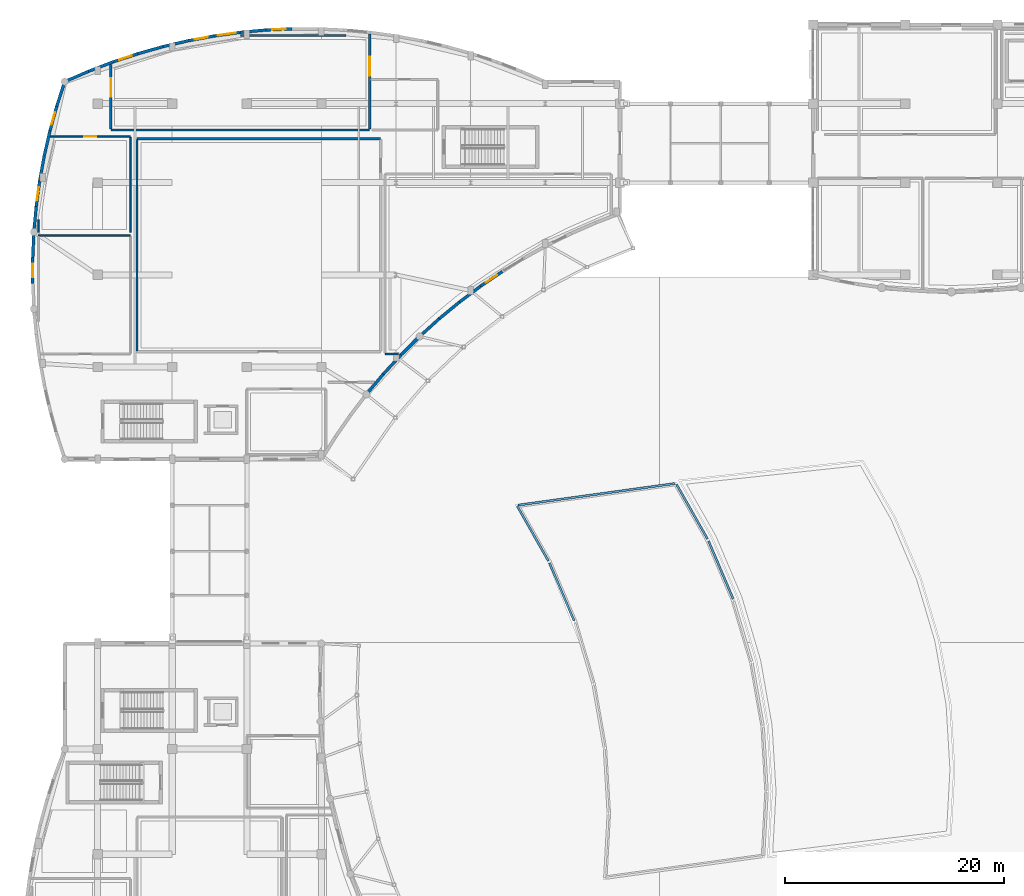
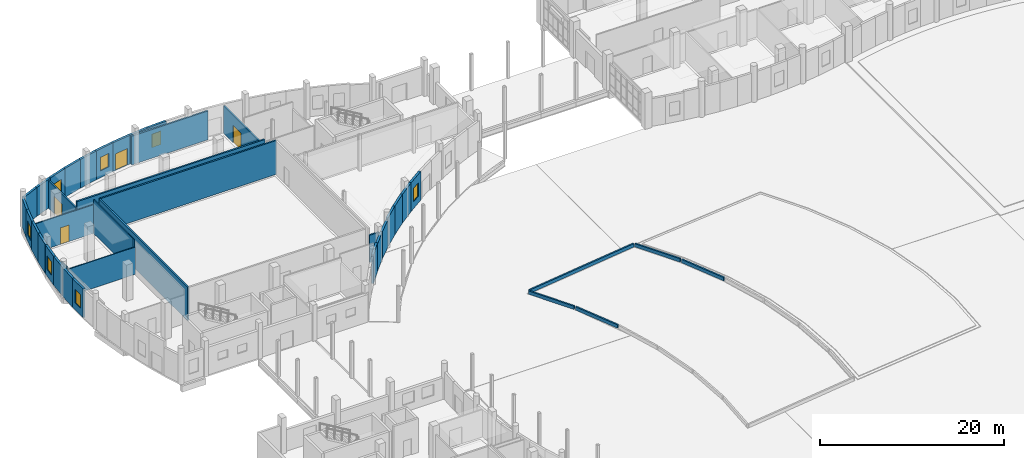
# One storey, part 66 of 97: 40 walls, 7 windows, 4 doors, 11 openings.
"""IFC4 building model written with IfcOpenShell, lengths in metres."""

from ifc_helpers import new_model, si_unit, direction, frame, frame_2d, origin, place, context, subcontext, project, spatial, rectangle, extrude, material, layer, layer_set, type_object, element, fill, save


model = new_model("IFC4")

# Units and contexts
model_context = context("Model", 3, precision=1e-05, world=origin(), true_north=direction((0.0, 1.0)))
body_context = subcontext(model_context, "Body", "Model", "MODEL_VIEW")
ifc_project = project(units=[si_unit("LENGTHUNIT", "METRE"), si_unit("AREAUNIT", "SQUARE_METRE"), si_unit("VOLUMEUNIT", "CUBIC_METRE"), si_unit("PLANEANGLEUNIT", "RADIAN"), si_unit("MASSUNIT", "GRAM", prefix="KILO")], contexts=[model_context])

# Site, building, storey
site_placement = place(None, origin())
site = spatial("IfcSite", under=ifc_project, at=site_placement, CompositionType="ELEMENT")
building_placement = place(site_placement, origin())
building = spatial("IfcBuilding", under=site, at=building_placement, Name="Kisaragi Civic Commons", CompositionType="ELEMENT")
storey_placement = place(building_placement, origin())
storey = spatial("IfcBuildingStorey", under=building, at=storey_placement, Name="L00", CompositionType="ELEMENT", Elevation=0.0)

# Wall, opening, window
ifc_material_1 = material(Name="Insulated Tokoname terracotta cavity wall", Category="masonry")
ifc_layer_1 = layer(ifc_material_1, 0.26806640625, Name="Insulated Tokoname terracotta cavity wall", Category="masonry")
ifc_layer_set_1 = layer_set([ifc_layer_1], Name="Insulated Tokoname terracotta cavity wall")
wall_type_1 = type_object("IfcWallType", Name="EW-04", PredefinedType="STANDARD", material=ifc_layer_set_1)
wall_1_placement = place(storey_placement, frame((0.885986328125, 95.2314453125, 0.0), z_axis=(0.0, 0.0, 1.0), x_axis=(0.0, 1.0, 0.0)))
wall_1 = element("IfcWall", 1, at=wall_1_placement, inside=storey, type_object=wall_type_1, Name="V2 L00 exterior terracotta wall EW-04 133", PredefinedType="STANDARD", context=body_context, shape_type="SweptSolid", body=[
    extrude(rectangle(XDim=2.337158203125, YDim=0.26806640625, at=frame_2d((1.16845703125, 0.0))), origin(), (0.0, 0.0, 1.0), 3.820068359375),
])
opening_1_placement = place(wall_1_placement, frame((0.568603515625, 0.0, 0.89990234375)))
opening_1 = element("IfcOpeningElement", 2, at=opening_1_placement, cuts=wall_1, Name="Opening W-05", PredefinedType="OPENING", context=body_context, shape_type="SweptSolid", body=[
    extrude(rectangle(XDim=1.199951171875, YDim=1.800048828125, at=frame_2d((0.60009765625, 0.89990234375))), frame((0.0, 0.14404296875, 0.0), z_axis=(0.0, -1.0, 0.0), x_axis=(1.0, 0.0, 0.0)), (0.0, 0.0, 1.0), 0.2880859375),
])
ifc_material_2 = material(Name="Thermally broken aluminium frame and low-E argon double glazing", Category="aluminium")
window_type = type_object("IfcWindowType", Name="W-05", PartitioningType="SINGLE_PANEL", PredefinedType="WINDOW", material=ifc_material_2)
window_1_placement = place(opening_1_placement, origin())
window_1 = element("IfcWindow", 3, at=window_1_placement, inside=storey, type_object=window_type, Name="V2 L00 window W-05 40", OverallHeight=1.800048828125, OverallWidth=1.199951171875, PartitioningType="SINGLE_PANEL", PredefinedType="WINDOW", context=body_context, shape_type="SweptSolid", body=[
    extrude(rectangle(XDim=1.199951171875, YDim=1.800048828125, at=frame_2d((0.60009765625, 0.89990234375))), frame((0.0, 0.030029296875, 0.0), z_axis=(0.0, -1.0, 0.0), x_axis=(1.0, 0.0, 0.0)), (0.0, 0.0, 1.0), 0.06005859375),
])
fill(opening_1, window_1)

# Walls
wall_2_placement = place(storey_placement, frame((0.885986328125, 97.568603515625, 0.0), z_axis=(0.0, 0.0, 1.0), x_axis=(0.045023834413, 0.998985912981, 0.0)))
element("IfcWall", 4, at=wall_2_placement, inside=storey, type_object=wall_type_1, Name="V2 L00 exterior terracotta wall EW-04 134", PredefinedType="STANDARD", context=body_context, shape_type="SweptSolid", body=[
    extrude(rectangle(XDim=2.337158203125, YDim=0.26806640625, at=frame_2d((1.16845703125, 0.0))), origin(), (0.0, 0.0, 1.0), 3.820068359375),
])
wall_3_placement = place(storey_placement, frame((0.9912109375, 99.9033203125, 0.0), z_axis=(0.0, 0.0, 1.0), x_axis=(0.089725771447, 0.995966508442, 0.0)))
element("IfcWall", 5, at=wall_3_placement, inside=storey, type_object=wall_type_1, Name="V2 L00 exterior terracotta wall EW-04 135", PredefinedType="STANDARD", context=body_context, shape_type="SweptSolid", body=[
    extrude(rectangle(XDim=2.33740234375, YDim=0.26806640625, at=frame_2d((1.168701171875, 0.0))), origin(), (0.0, 0.0, 1.0), 3.820068359375),
])

# Wall, opening, window
wall_4_placement = place(storey_placement, frame((1.200927734375, 102.231201171875, 0.0), z_axis=(0.0, 0.0, 1.0), x_axis=(0.134441908153, 0.990921476875, 0.0)))
wall_4 = element("IfcWall", 6, at=wall_4_placement, inside=storey, type_object=wall_type_1, Name="V2 L00 exterior terracotta wall EW-04 136", PredefinedType="STANDARD", context=body_context, shape_type="SweptSolid", body=[
    extrude(rectangle(XDim=2.337158203125, YDim=0.26806640625, at=frame_2d((1.16845703125, 0.0))), origin(), (0.0, 0.0, 1.0), 3.820068359375),
])
opening_2_placement = place(wall_4_placement, frame((0.568603515625, 0.0, 0.89990234375)))
opening_2 = element("IfcOpeningElement", 7, at=opening_2_placement, cuts=wall_4, Name="Opening W-05", PredefinedType="OPENING", context=body_context, shape_type="SweptSolid", body=[
    extrude(rectangle(XDim=1.199951171875, YDim=1.800048828125, at=frame_2d((0.60009765625, 0.89990234375))), frame((0.0, 0.14404296875, 0.0), z_axis=(0.0, -1.0, 0.0), x_axis=(1.0, 0.0, 0.0)), (0.0, 0.0, 1.0), 0.2880859375),
])
window_2_placement = place(opening_2_placement, origin())
window_2 = element("IfcWindow", 8, at=window_2_placement, inside=storey, type_object=window_type, Name="V2 L00 window W-05 41", OverallHeight=1.800048828125, OverallWidth=1.199951171875, PartitioningType="SINGLE_PANEL", PredefinedType="WINDOW", context=body_context, shape_type="SweptSolid", body=[
    extrude(rectangle(XDim=1.199951171875, YDim=1.800048828125, at=frame_2d((0.60009765625, 0.89990234375))), frame((0.0, 0.030029296875, 0.0), z_axis=(0.0, -1.0, 0.0), x_axis=(1.0, 0.0, 0.0)), (0.0, 0.0, 1.0), 0.06005859375),
])
fill(opening_2, window_2)

# Walls
wall_5_placement = place(storey_placement, frame((1.51513671875, 104.547119140625, 0.0), z_axis=(0.0, 0.0, 1.0), x_axis=(0.178848665452, 0.983876595344, 0.0)))
element("IfcWall", 9, at=wall_5_placement, inside=storey, type_object=wall_type_1, Name="V2 L00 exterior terracotta wall EW-04 137", PredefinedType="STANDARD", context=body_context, shape_type="SweptSolid", body=[
    extrude(rectangle(XDim=2.3369140625, YDim=0.26806640625, at=frame_2d((1.16845703125, 0.0))), origin(), (0.0, 0.0, 1.0), 3.820068359375),
])
wall_6_placement = place(storey_placement, frame((1.93310546875, 106.846435546875, 0.0), z_axis=(0.0, 0.0, 1.0), x_axis=(0.222898540551, 0.974841648998, 0.0)))
element("IfcWall", 10, at=wall_6_placement, inside=storey, type_object=wall_type_1, Name="V2 L00 exterior terracotta wall EW-04 138", PredefinedType="STANDARD", context=body_context, shape_type="SweptSolid", body=[
    extrude(rectangle(XDim=2.33740234375, YDim=0.26806640625, at=frame_2d((1.168701171875, 0.0))), origin(), (0.0, 0.0, 1.0), 3.820068359375),
])

# Wall, opening, window
wall_7_placement = place(storey_placement, frame((2.4541015625, 109.125, 0.0), z_axis=(0.0, 0.0, 1.0), x_axis=(0.266377520109, 0.963868775706, 0.0)))
wall_7 = element("IfcWall", 11, at=wall_7_placement, inside=storey, type_object=wall_type_1, Name="V2 L00 exterior terracotta wall EW-04 139", PredefinedType="STANDARD", context=body_context, shape_type="SweptSolid", body=[
    extrude(rectangle(XDim=2.337158203125, YDim=0.26806640625, at=frame_2d((1.16845703125, 0.0))), origin(), (0.0, 0.0, 1.0), 3.820068359375),
])
opening_3_placement = place(wall_7_placement, frame((0.568603515625, 0.0, 0.89990234375)))
opening_3 = element("IfcOpeningElement", 12, at=opening_3_placement, cuts=wall_7, Name="Opening W-05", PredefinedType="OPENING", context=body_context, shape_type="SweptSolid", body=[
    extrude(rectangle(XDim=1.199951171875, YDim=1.800048828125, at=frame_2d((0.60009765625, 0.89990234375))), frame((0.0, 0.14404296875, 0.0), z_axis=(0.0, -1.0, 0.0), x_axis=(1.0, 0.0, 0.0)), (0.0, 0.0, 1.0), 0.2880859375),
])
window_3_placement = place(opening_3_placement, origin())
window_3 = element("IfcWindow", 13, at=window_3_placement, inside=storey, type_object=window_type, Name="V2 L00 window W-05 42", OverallHeight=1.800048828125, OverallWidth=1.199951171875, PartitioningType="SINGLE_PANEL", PredefinedType="WINDOW", context=body_context, shape_type="SweptSolid", body=[
    extrude(rectangle(XDim=1.199951171875, YDim=1.800048828125, at=frame_2d((0.60009765625, 0.89990234375))), frame((0.0, 0.030029296875, 0.0), z_axis=(0.0, -1.0, 0.0), x_axis=(1.0, 0.0, 0.0)), (0.0, 0.0, 1.0), 0.06005859375),
])
fill(opening_3, window_3)

# Walls
wall_8_placement = place(storey_placement, frame((3.07666015625, 111.377685546875, 0.0), z_axis=(0.0, 0.0, 1.0), x_axis=(0.309513563402, 0.950895027892, 0.0)))
element("IfcWall", 14, at=wall_8_placement, inside=storey, type_object=wall_type_1, Name="V2 L00 exterior terracotta wall EW-04 140", PredefinedType="STANDARD", context=body_context, shape_type="SweptSolid", body=[
    extrude(rectangle(XDim=2.337158203125, YDim=0.26806640625, at=frame_2d((1.16845703125, 0.0))), origin(), (0.0, 0.0, 1.0), 3.820068359375),
])
wall_9_placement = place(storey_placement, frame((3.800048828125, 113.60009765625, 0.0), z_axis=(0.0, 0.0, 1.0), x_axis=(0.916395023077, 0.400275107494, 0.0)))
element("IfcWall", 15, at=wall_9_placement, inside=storey, type_object=wall_type_1, Name="V2 L00 exterior terracotta wall EW-04 141", PredefinedType="STANDARD", context=body_context, shape_type="SweptSolid", body=[
    extrude(rectangle(XDim=2.37939453125, YDim=0.26806640625, at=frame_2d((1.189697265625, 0.0))), origin(), (0.0, 0.0, 1.0), 3.820068359375),
])
wall_10_placement = place(storey_placement, frame((5.98046875, 114.552490234375, 0.0), z_axis=(0.0, 0.0, 1.0), x_axis=(0.933744402392, 0.357940485278, 0.0)))
element("IfcWall", 16, at=wall_10_placement, inside=storey, type_object=wall_type_1, Name="V2 L00 exterior terracotta wall EW-04 142", PredefinedType="STANDARD", context=body_context, shape_type="SweptSolid", body=[
    extrude(rectangle(XDim=2.379150390625, YDim=0.26806640625, at=frame_2d((1.189453125, 0.0))), origin(), (0.0, 0.0, 1.0), 3.820068359375),
])

# Wall, opening, window
wall_11_placement = place(storey_placement, frame((8.201904296875, 115.404052734375, 0.0), z_axis=(0.0, 0.0, 1.0), x_axis=(0.949123588858, 0.31490381559, 0.0)))
wall_11 = element("IfcWall", 17, at=wall_11_placement, inside=storey, type_object=wall_type_1, Name="V2 L00 exterior terracotta wall EW-04 143", PredefinedType="STANDARD", context=body_context, shape_type="SweptSolid", body=[
    extrude(rectangle(XDim=2.37939453125, YDim=0.26806640625, at=frame_2d((1.189697265625, 0.0))), origin(), (0.0, 0.0, 1.0), 3.820068359375),
])
opening_4_placement = place(wall_11_placement, frame((0.589599609375, 0.0, 0.89990234375)))
opening_4 = element("IfcOpeningElement", 18, at=opening_4_placement, cuts=wall_11, Name="Opening W-05", PredefinedType="OPENING", context=body_context, shape_type="SweptSolid", body=[
    extrude(rectangle(XDim=1.199951171875, YDim=1.800048828125, at=frame_2d((0.60009765625, 0.89990234375))), frame((0.0, 0.14404296875, 0.0), z_axis=(0.0, -1.0, 0.0), x_axis=(1.0, 0.0, 0.0)), (0.0, 0.0, 1.0), 0.2880859375),
])
window_4_placement = place(opening_4_placement, origin())
window_4 = element("IfcWindow", 19, at=window_4_placement, inside=storey, type_object=window_type, Name="V2 L00 window W-05 43", OverallHeight=1.800048828125, OverallWidth=1.199951171875, PartitioningType="SINGLE_PANEL", PredefinedType="WINDOW", context=body_context, shape_type="SweptSolid", body=[
    extrude(rectangle(XDim=1.199951171875, YDim=1.800048828125, at=frame_2d((0.60009765625, 0.89990234375))), frame((0.0, 0.030029296875, 0.0), z_axis=(0.0, -1.0, 0.0), x_axis=(1.0, 0.0, 0.0)), (0.0, 0.0, 1.0), 0.06005859375),
])
fill(opening_4, window_4)

# Walls
wall_12_placement = place(storey_placement, frame((10.460205078125, 116.1533203125, 0.0), z_axis=(0.0, 0.0, 1.0), x_axis=(0.962554772645, 0.27108727314, 0.0)))
element("IfcWall", 20, at=wall_12_placement, inside=storey, type_object=wall_type_1, Name="V2 L00 exterior terracotta wall EW-04 144", PredefinedType="STANDARD", context=body_context, shape_type="SweptSolid", body=[
    extrude(rectangle(XDim=2.37939453125, YDim=0.26806640625, at=frame_2d((1.189697265625, 0.0))), origin(), (0.0, 0.0, 1.0), 3.820068359375),
])
wall_13_placement = place(storey_placement, frame((12.75048828125, 116.79833984375, 0.0), z_axis=(0.0, 0.0, 1.0), x_axis=(0.97394480738, 0.226785167454, 0.0)))
element("IfcWall", 21, at=wall_13_placement, inside=storey, type_object=wall_type_1, Name="V2 L00 exterior terracotta wall EW-04 145", PredefinedType="STANDARD", context=body_context, shape_type="SweptSolid", body=[
    extrude(rectangle(XDim=2.379150390625, YDim=0.26806640625, at=frame_2d((1.189453125, 0.0))), origin(), (0.0, 0.0, 1.0), 3.820068359375),
])

# Wall, opening, window
wall_14_placement = place(storey_placement, frame((15.067626953125, 117.337890625, 0.0), z_axis=(0.0, 0.0, 1.0), x_axis=(0.983293570228, 0.182026796784, 0.0)))
wall_14 = element("IfcWall", 22, at=wall_14_placement, inside=storey, type_object=wall_type_1, Name="V2 L00 exterior terracotta wall EW-04 146", PredefinedType="STANDARD", context=body_context, shape_type="SweptSolid", body=[
    extrude(rectangle(XDim=2.37939453125, YDim=0.26806640625, at=frame_2d((1.189697265625, 0.0))), origin(), (0.0, 0.0, 1.0), 3.820068359375),
])
opening_5_placement = place(wall_14_placement, frame((0.589599609375, 0.0, 0.89990234375)))
opening_5 = element("IfcOpeningElement", 23, at=opening_5_placement, cuts=wall_14, Name="Opening W-05", PredefinedType="OPENING", context=body_context, shape_type="SweptSolid", body=[
    extrude(rectangle(XDim=1.199951171875, YDim=1.800048828125, at=frame_2d((0.60009765625, 0.89990234375))), frame((0.0, 0.14404296875, 0.0), z_axis=(0.0, -1.0, 0.0), x_axis=(1.0, 0.0, 0.0)), (0.0, 0.0, 1.0), 0.2880859375),
])
window_5_placement = place(opening_5_placement, origin())
window_5 = element("IfcWindow", 24, at=window_5_placement, inside=storey, type_object=window_type, Name="V2 L00 window W-05 44", OverallHeight=1.800048828125, OverallWidth=1.199951171875, PartitioningType="SINGLE_PANEL", PredefinedType="WINDOW", context=body_context, shape_type="SweptSolid", body=[
    extrude(rectangle(XDim=1.199951171875, YDim=1.800048828125, at=frame_2d((0.60009765625, 0.89990234375))), frame((0.0, 0.030029296875, 0.0), z_axis=(0.0, -1.0, 0.0), x_axis=(1.0, 0.0, 0.0)), (0.0, 0.0, 1.0), 0.06005859375),
])
fill(opening_5, window_5)

# Wall, opening, door
wall_15_placement = place(storey_placement, frame((17.4072265625, 117.77099609375, 0.0), z_axis=(0.0, 0.0, 1.0), x_axis=(0.990587574889, 0.136880445919, 0.0)))
wall_15 = element("IfcWall", 25, at=wall_15_placement, inside=storey, type_object=wall_type_1, Name="V2 L00 exterior terracotta wall EW-04 147", PredefinedType="STANDARD", context=body_context, shape_type="SweptSolid", body=[
    extrude(rectangle(XDim=2.37939453125, YDim=0.26806640625, at=frame_2d((1.189697265625, 0.0))), origin(), (0.0, 0.0, 1.0), 3.820068359375),
])
opening_6_placement = place(wall_15_placement, frame((0.364501953125, 0.0, 0.0)))
opening_6 = element("IfcOpeningElement", 26, at=opening_6_placement, cuts=wall_15, Name="Opening ED-D", PredefinedType="OPENING", context=body_context, shape_type="SweptSolid", body=[
    extrude(rectangle(XDim=1.64990234375, YDim=2.199951171875, at=frame_2d((0.824951171875, 1.10009765625))), frame((0.0, 0.14404296875, 0.0), z_axis=(0.0, -1.0, 0.0), x_axis=(1.0, 0.0, 0.0)), (0.0, 0.0, 1.0), 0.2880859375),
])
ifc_material_3 = material(Name="Thermally broken anodized aluminium glazed exit door", Category="aluminium")
door_type_1 = type_object("IfcDoorType", Name="ED-D", OperationType="NOTDEFINED", PredefinedType="DOOR", material=ifc_material_3)
door_1_placement = place(opening_6_placement, origin())
door_1 = element("IfcDoor", 27, at=door_1_placement, inside=storey, type_object=door_type_1, Name="Ground exterior exit and veranda door ED-D 07", OperationType="DOUBLE_DOOR_SINGLE_SWING", OverallHeight=2.199951171875, OverallWidth=1.64990234375, PredefinedType="DOOR", context=body_context, shape_type="SweptSolid", body=[
    extrude(rectangle(XDim=1.64990234375, YDim=2.199951171875, at=frame_2d((0.824951171875, 1.10009765625))), frame((0.0, 0.02490234375, 0.0), z_axis=(0.0, -1.0, 0.0), x_axis=(1.0, 0.0, 0.0)), (0.0, 0.0, 1.0), 0.050048828125),
])
fill(opening_6, door_1)

# Wall
wall_16_placement = place(storey_placement, frame((19.76416015625, 118.0966796875, 0.0), z_axis=(0.0, 0.0, 1.0), x_axis=(0.995812069599, 0.091423859249, 0.0)))
element("IfcWall", 28, at=wall_16_placement, inside=storey, type_object=wall_type_1, Name="V2 L00 exterior terracotta wall EW-04 148", PredefinedType="STANDARD", context=body_context, shape_type="SweptSolid", body=[
    extrude(rectangle(XDim=2.37939453125, YDim=0.26806640625, at=frame_2d((1.189697265625, 0.0))), origin(), (0.0, 0.0, 1.0), 3.820068359375),
])

# Wall, opening, window
wall_17_placement = place(storey_placement, frame((22.133544921875, 118.314208984375, 0.0), z_axis=(0.0, 0.0, 1.0), x_axis=(0.998952399437, 0.045761377378, 0.0)))
wall_17 = element("IfcWall", 29, at=wall_17_placement, inside=storey, type_object=wall_type_1, Name="V2 L00 exterior terracotta wall EW-04 149", PredefinedType="STANDARD", context=body_context, shape_type="SweptSolid", body=[
    extrude(rectangle(XDim=2.37939453125, YDim=0.26806640625, at=frame_2d((1.189697265625, 0.0))), origin(), (0.0, 0.0, 1.0), 3.820068359375),
])
opening_7_placement = place(wall_17_placement, frame((0.589599609375, 0.0, 0.89990234375)))
opening_7 = element("IfcOpeningElement", 30, at=opening_7_placement, cuts=wall_17, Name="Opening W-05", PredefinedType="OPENING", context=body_context, shape_type="SweptSolid", body=[
    extrude(rectangle(XDim=1.199951171875, YDim=1.800048828125, at=frame_2d((0.60009765625, 0.89990234375))), frame((0.0, 0.14404296875, 0.0), z_axis=(0.0, -1.0, 0.0), x_axis=(1.0, 0.0, 0.0)), (0.0, 0.0, 1.0), 0.2880859375),
])
window_6_placement = place(opening_7_placement, origin())
window_6 = element("IfcWindow", 31, at=window_6_placement, inside=storey, type_object=window_type, Name="V2 L00 window W-05 45", OverallHeight=1.800048828125, OverallWidth=1.199951171875, PartitioningType="SINGLE_PANEL", PredefinedType="WINDOW", context=body_context, shape_type="SweptSolid", body=[
    extrude(rectangle(XDim=1.199951171875, YDim=1.800048828125, at=frame_2d((0.60009765625, 0.89990234375))), frame((0.0, 0.030029296875, 0.0), z_axis=(0.0, -1.0, 0.0), x_axis=(1.0, 0.0, 0.0)), (0.0, 0.0, 1.0), 0.06005859375),
])
fill(opening_7, window_6)

wall_18_placement = place(storey_placement, frame((43.6787109375, 96.308349609375, 0.0), z_axis=(0.0, 0.0, 1.0), x_axis=(-0.827159505426, -0.561967216644, 0.0)))
wall_18 = element("IfcWall", 32, at=wall_18_placement, inside=storey, type_object=wall_type_1, Name="V2 L00 exterior terracotta wall EW-04 169", PredefinedType="STANDARD", context=body_context, shape_type="SweptSolid", body=[
    extrude(rectangle(XDim=2.396484375, YDim=0.26806640625, at=frame_2d((1.1982421875, 0.0))), origin(), (0.0, 0.0, 1.0), 3.820068359375),
])
opening_8_placement = place(wall_18_placement, frame((0.59814453125, 0.0, 0.89990234375)))
opening_8 = element("IfcOpeningElement", 33, at=opening_8_placement, cuts=wall_18, Name="Opening W-05", PredefinedType="OPENING", context=body_context, shape_type="SweptSolid", body=[
    extrude(rectangle(XDim=1.199951171875, YDim=1.800048828125, at=frame_2d((0.60009765625, 0.89990234375))), frame((0.0, 0.14404296875, 0.0), z_axis=(0.0, -1.0, 0.0), x_axis=(1.0, 0.0, 0.0)), (0.0, 0.0, 1.0), 0.2880859375),
])
window_7_placement = place(opening_8_placement, origin())
window_7 = element("IfcWindow", 34, at=window_7_placement, inside=storey, type_object=window_type, Name="V2 L00 window W-05 50", OverallHeight=1.800048828125, OverallWidth=1.199951171875, PartitioningType="SINGLE_PANEL", PredefinedType="WINDOW", context=body_context, shape_type="SweptSolid", body=[
    extrude(rectangle(XDim=1.199951171875, YDim=1.800048828125, at=frame_2d((0.60009765625, 0.89990234375))), frame((0.0, 0.030029296875, 0.0), z_axis=(0.0, -1.0, 0.0), x_axis=(1.0, 0.0, 0.0)), (0.0, 0.0, 1.0), 0.06005859375),
])
fill(opening_8, window_7)

# Walls
wall_19_placement = place(storey_placement, frame((41.696533203125, 94.961669921875, 0.0), z_axis=(0.0, 0.0, 1.0), x_axis=(-0.800391059778, -0.599478232655, 0.0)))
element("IfcWall", 35, at=wall_19_placement, inside=storey, type_object=wall_type_1, Name="V2 L00 exterior terracotta wall EW-04 170", PredefinedType="STANDARD", context=body_context, shape_type="SweptSolid", body=[
    extrude(rectangle(XDim=2.396240234375, YDim=0.26806640625, at=frame_2d((1.1982421875, 0.0))), origin(), (0.0, 0.0, 1.0), 3.820068359375),
])
wall_20_placement = place(storey_placement, frame((39.778564453125, 93.525146484375, 0.0), z_axis=(0.0, 0.0, 1.0), x_axis=(-0.771924354008, -0.635714394748, 0.0)))
element("IfcWall", 36, at=wall_20_placement, inside=storey, type_object=wall_type_1, Name="V2 L00 exterior terracotta wall EW-04 171", PredefinedType="STANDARD", context=body_context, shape_type="SweptSolid", body=[
    extrude(rectangle(XDim=2.396484375, YDim=0.26806640625, at=frame_2d((1.1982421875, 0.0))), origin(), (0.0, 0.0, 1.0), 3.820068359375),
])
wall_21_placement = place(storey_placement, frame((37.9287109375, 92.001708984375, 0.0), z_axis=(0.0, 0.0, 1.0), x_axis=(-0.741818117858, -0.670601133325, 0.0)))
element("IfcWall", 37, at=wall_21_placement, inside=storey, type_object=wall_type_1, Name="V2 L00 exterior terracotta wall EW-04 172", PredefinedType="STANDARD", context=body_context, shape_type="SweptSolid", body=[
    extrude(rectangle(XDim=2.396240234375, YDim=0.26806640625, at=frame_2d((1.1982421875, 0.0))), origin(), (0.0, 0.0, 1.0), 3.820068359375),
])
wall_22_placement = place(storey_placement, frame((36.151123046875, 90.394775390625, 0.0), z_axis=(0.0, 0.0, 1.0), x_axis=(-0.710156803668, -0.704043545673, 0.0)))
element("IfcWall", 38, at=wall_22_placement, inside=storey, type_object=wall_type_1, Name="V2 L00 exterior terracotta wall EW-04 173", PredefinedType="STANDARD", context=body_context, shape_type="SweptSolid", body=[
    extrude(rectangle(XDim=2.396240234375, YDim=0.26806640625, at=frame_2d((1.1982421875, 0.0))), origin(), (0.0, 0.0, 1.0), 3.6201171875),
])
wall_23_placement = place(storey_placement, frame((34.449462890625, 88.707763671875, 0.0), z_axis=(0.0, 0.0, 1.0), x_axis=(-0.676946175491, -0.73603252339, 0.0)))
element("IfcWall", 39, at=wall_23_placement, inside=storey, type_object=wall_type_1, Name="V2 L00 exterior terracotta wall EW-04 174", PredefinedType="STANDARD", context=body_context, shape_type="SweptSolid", body=[
    extrude(rectangle(XDim=2.396484375, YDim=0.26806640625, at=frame_2d((1.1982421875, 0.0))), origin(), (0.0, 0.0, 1.0), 3.6201171875),
])
wall_24_placement = place(storey_placement, frame((32.8271484375, 86.94384765625, 0.0), z_axis=(0.0, 0.0, 1.0), x_axis=(-0.642326646104, -0.766431001268, 0.0)))
element("IfcWall", 40, at=wall_24_placement, inside=storey, type_object=wall_type_1, Name="V2 L00 exterior terracotta wall EW-04 175", PredefinedType="STANDARD", context=body_context, shape_type="SweptSolid", body=[
    extrude(rectangle(XDim=2.39599609375, YDim=0.26806640625, at=frame_2d((1.197998046875, 0.0))), origin(), (0.0, 0.0, 1.0), 3.820068359375),
])
ifc_material_4 = material(Name="Fire-rated double gypsum board on steel studs with mineral wool", Category="steel")
ifc_layer_2 = layer(ifc_material_4, 0.199951171875, Name="Fire-rated double gypsum board on steel studs with mineral wool", Category="steel")
ifc_layer_set_2 = layer_set([ifc_layer_2], Name="Fire-rated double gypsum board on steel studs with mineral wool")
wall_type_2 = type_object("IfcWallType", Name="FW-01", PredefinedType="STANDARD", material=ifc_layer_set_2)
wall_25_placement = place(storey_placement, frame((34.203125, 88.800048828125, 0.0), z_axis=(0.0, 0.0, 1.0), x_axis=(-1.0, 0.0, 0.0)))
element("IfcWall", 41, at=wall_25_placement, inside=storey, type_object=wall_type_2, Name="L00 S0-09 partition FW-01 57", PredefinedType="STANDARD", context=body_context, shape_type="SweptSolid", body=[
    extrude(rectangle(XDim=1.1982421875, YDim=0.199951171875, at=frame_2d((0.59912109375, 0.0))), origin(), (0.0, 0.0, 1.0), 3.6201171875),
])
wall_26_placement = place(storey_placement, frame((10.39990234375, 89.074951171875, 0.0), z_axis=(0.0, 0.0, 1.0), x_axis=(0.0, 1.0, 0.0)))
element("IfcWall", 42, at=wall_26_placement, inside=storey, type_object=wall_type_2, Name="L00 S0-01 partition FW-01 91", PredefinedType="STANDARD", context=body_context, shape_type="SweptSolid", body=[
    extrude(rectangle(XDim=19.25, YDim=0.199951171875, at=frame_2d((9.625, 0.0))), origin(), (0.0, 0.0, 1.0), 4.489990234375),
])
wall_27_placement = place(storey_placement, frame((10.405029296875, 108.39990234375, 0.0), z_axis=(0.0, 0.0, 1.0), x_axis=(1.0, 0.0, 0.0)))
element("IfcWall", 43, at=wall_27_placement, inside=storey, type_object=wall_type_2, Name="L00 S0-01 partition FW-01 92", PredefinedType="STANDARD", context=body_context, shape_type="SweptSolid", body=[
    extrude(rectangle(XDim=22.18994140625, YDim=0.199951171875, at=frame_2d((11.094970703125, 0.0))), origin(), (0.0, 0.0, 1.0), 4.489990234375),
])

# Wall, opening, door
wall_28_placement = place(storey_placement, frame((8.0, 109.27490234375, 0.0), z_axis=(0.0, 0.0, 1.0), x_axis=(0.0, 1.0, 0.0)))
wall_28 = element("IfcWall", 44, at=wall_28_placement, inside=storey, type_object=wall_type_2, Name="L00 S0-10 partition FW-01 106", PredefinedType="STANDARD", context=body_context, shape_type="SweptSolid", body=[
    extrude(rectangle(XDim=5.909912109375, YDim=0.199951171875, at=frame_2d((2.955078125, 0.0))), origin(), (0.0, 0.0, 1.0), 3.6201171875),
])
opening_9_placement = place(wall_28_placement, frame((2.94677734375, 0.0, 0.0)))
opening_9 = element("IfcOpeningElement", 45, at=opening_9_placement, cuts=wall_28, Name="Opening ID-07", PredefinedType="OPENING", context=body_context, shape_type="SweptSolid", body=[
    extrude(rectangle(XDim=1.699951171875, YDim=2.300048828125, at=frame_2d((0.85009765625, 1.14990234375))), frame((0.0, 0.10986328125, 0.0), z_axis=(0.0, -1.0, 0.0), x_axis=(1.0, 0.0, 0.0)), (0.0, 0.0, 1.0), 0.219970703125),
])
ifc_material_5 = material(Name="Insulated fire-rated pressed steel door assembly", Category="steel")
door_type_2 = type_object("IfcDoorType", Name="ID-07", OperationType="NOTDEFINED", PredefinedType="DOOR", material=ifc_material_5)
door_2_placement = place(opening_9_placement, origin())
door_2 = element("IfcDoor", 46, at=door_2_placement, inside=storey, type_object=door_type_2, Name="Community Judo and Aikido Dojo door ID-07", OperationType="DOUBLE_DOOR_SINGLE_SWING", OverallHeight=2.300048828125, OverallWidth=1.699951171875, PredefinedType="DOOR", context=body_context, shape_type="SweptSolid", body=[
    extrude(rectangle(XDim=1.699951171875, YDim=2.300048828125, at=frame_2d((0.85009765625, 1.14990234375))), frame((0.0, 0.02490234375, 0.0), z_axis=(0.0, -1.0, 0.0), x_axis=(1.0, 0.0, 0.0)), (0.0, 0.0, 1.0), 0.050048828125),
])
fill(opening_9, door_2)

# Wall
wall_29_placement = place(storey_placement, frame((19.81884765625, 117.800048828125, 0.0), z_axis=(0.0, 0.0, 1.0), x_axis=(1.0, 0.0, 0.0)))
element("IfcWall", 47, at=wall_29_placement, inside=storey, type_object=wall_type_2, Name="L00 S0-10 partition FW-01 107", PredefinedType="STANDARD", context=body_context, shape_type="SweptSolid", body=[
    extrude(rectangle(XDim=9.62109375, YDim=0.199951171875, at=frame_2d((4.810546875, 0.0))), origin(), (0.0, 0.0, 1.0), 3.820068359375),
])

# Wall, opening, door
wall_30_placement = place(storey_placement, frame((31.60009765625, 117.9580078125, 0.0), z_axis=(0.0, 0.0, 1.0), x_axis=(0.0, -1.0, 0.0)))
wall_30 = element("IfcWall", 48, at=wall_30_placement, inside=storey, type_object=wall_type_2, Name="L00 S0-10 partition FW-01 108", PredefinedType="STANDARD", context=body_context, shape_type="SweptSolid", body=[
    extrude(rectangle(XDim=8.68310546875, YDim=0.199951171875, at=frame_2d((4.341552734375, 0.0))), origin(), (0.0, 0.0, 1.0), 3.6201171875),
])
opening_10_placement = place(wall_30_placement, frame((2.094970703125, 0.0, 0.0)))
opening_10 = element("IfcOpeningElement", 49, at=opening_10_placement, cuts=wall_30, Name="Opening ID-07", PredefinedType="OPENING", context=body_context, shape_type="SweptSolid", body=[
    extrude(rectangle(XDim=1.699951171875, YDim=2.300048828125, at=frame_2d((0.85009765625, 1.14990234375))), frame((0.0, 0.10986328125, 0.0), z_axis=(0.0, -1.0, 0.0), x_axis=(1.0, 0.0, 0.0)), (0.0, 0.0, 1.0), 0.219970703125),
])
door_3_placement = place(opening_10_placement, origin())
door_3 = element("IfcDoor", 50, at=door_3_placement, inside=storey, type_object=door_type_2, Name="Community Judo and Aikido Dojo door ID-07", OperationType="DOUBLE_DOOR_SINGLE_SWING", OverallHeight=2.300048828125, OverallWidth=1.699951171875, PredefinedType="DOOR", context=body_context, shape_type="SweptSolid", body=[
    extrude(rectangle(XDim=1.699951171875, YDim=2.300048828125, at=frame_2d((0.85009765625, 1.14990234375))), frame((0.0, 0.02490234375, 0.0), z_axis=(0.0, -1.0, 0.0), x_axis=(1.0, 0.0, 0.0)), (0.0, 0.0, 1.0), 0.050048828125),
])
fill(opening_10, door_3)

# Walls
wall_31_placement = place(storey_placement, frame((31.594970703125, 109.199951171875, 0.0), z_axis=(0.0, 0.0, 1.0), x_axis=(-1.0, 0.0, 0.0)))
element("IfcWall", 51, at=wall_31_placement, inside=storey, type_object=wall_type_2, Name="L00 S0-10 partition FW-01 109", PredefinedType="STANDARD", context=body_context, shape_type="SweptSolid", body=[
    extrude(rectangle(XDim=23.590087890625, YDim=0.199951171875, at=frame_2d((11.794921875, 0.0))), origin(), (0.0, 0.0, 1.0), 4.489990234375),
])
ifc_material_6 = material(Name="Acoustic gypsum board on light-gauge steel studs", Category="steel")
ifc_layer_3 = layer(ifc_material_6, 0.137939453125, Name="Acoustic gypsum board on light-gauge steel studs", Category="steel")
ifc_layer_set_3 = layer_set([ifc_layer_3], Name="Acoustic gypsum board on light-gauge steel studs")
wall_type_3 = type_object("IfcWallType", Name="IW-02", PredefinedType="STANDARD", material=ifc_layer_set_3)
wall_32_placement = place(storey_placement, frame((1.39990234375, 99.875, 0.0), z_axis=(0.0, 0.0, 1.0), x_axis=(0.0, 1.0, 0.0)))
element("IfcWall", 52, at=wall_32_placement, inside=storey, type_object=wall_type_3, Name="L00 S0-04 partition IW-02 98", PredefinedType="STANDARD", context=body_context, shape_type="SweptSolid", body=[
    extrude(rectangle(XDim=1.14697265625, YDim=0.137939453125, at=frame_2d((0.573486328125, 0.0))), origin(), (0.0, 0.0, 1.0), 3.820068359375),
])

# Wall, opening, door
wall_33_placement = place(storey_placement, frame((2.47607421875, 108.60009765625, 0.0), z_axis=(0.0, 0.0, 1.0), x_axis=(1.0, 0.0, 0.0)))
wall_33 = element("IfcWall", 53, at=wall_33_placement, inside=storey, type_object=wall_type_3, Name="L00 S0-04 partition IW-02 99", PredefinedType="STANDARD", context=body_context, shape_type="SweptSolid", body=[
    extrude(rectangle(XDim=7.31884765625, YDim=0.137939453125, at=frame_2d((3.659423828125, 0.0))), origin(), (0.0, 0.0, 1.0), 3.820068359375),
])
opening_11_placement = place(wall_33_placement, frame((3.109619140625, 0.0, 0.0)))
opening_11 = element("IfcOpeningElement", 54, at=opening_11_placement, cuts=wall_33, Name="Opening ID-08", PredefinedType="OPENING", context=body_context, shape_type="SweptSolid", body=[
    extrude(rectangle(XDim=1.10009765625, YDim=2.199951171875, at=frame_2d((0.550048828125, 1.10009765625))), frame((0.0, 0.078857421875, 0.0), z_axis=(0.0, -1.0, 0.0), x_axis=(1.0, 0.0, 0.0)), (0.0, 0.0, 1.0), 0.157958984375),
])
ifc_material_7 = material(Name="Solid-core Japanese ash acoustic flush timber leaf in steel frame", Category="steel")
door_type_3 = type_object("IfcDoorType", Name="ID-08", OperationType="NOTDEFINED", PredefinedType="DOOR", material=ifc_material_7)
door_4_placement = place(opening_11_placement, origin())
door_4 = element("IfcDoor", 55, at=door_4_placement, inside=storey, type_object=door_type_3, Name="First Aid and Referee Room door ID-08", OperationType="SINGLE_SWING_RIGHT", OverallHeight=2.199951171875, OverallWidth=1.10009765625, PredefinedType="DOOR", context=body_context, shape_type="SweptSolid", body=[
    extrude(rectangle(XDim=1.10009765625, YDim=2.199951171875, at=frame_2d((0.550048828125, 1.10009765625))), frame((0.0, 0.02490234375, 0.0), z_axis=(0.0, -1.0, 0.0), x_axis=(1.0, 0.0, 0.0)), (0.0, 0.0, 1.0), 0.050048828125),
])
fill(opening_11, door_4)

# Walls
wall_34_placement = place(storey_placement, frame((9.800048828125, 108.52490234375, 0.0), z_axis=(0.0, 0.0, 1.0), x_axis=(0.0, -1.0, 0.0)))
element("IfcWall", 56, at=wall_34_placement, inside=storey, type_object=wall_type_3, Name="L00 S0-04 partition IW-02 100", PredefinedType="STANDARD", context=body_context, shape_type="SweptSolid", body=[
    extrude(rectangle(XDim=8.64990234375, YDim=0.137939453125, at=frame_2d((4.324951171875, 0.0))), origin(), (0.0, 0.0, 1.0), 4.489990234375),
])
ifc_layer_4 = layer(ifc_material_6, 0.1201171875, Name="Acoustic gypsum board on light-gauge steel studs", Category="steel")
ifc_layer_set_4 = layer_set([ifc_layer_4], Name="Acoustic gypsum board on light-gauge steel studs")
wall_type_4 = type_object("IfcWallType", Name="IW-04", PredefinedType="STANDARD", material=ifc_layer_set_4)
wall_35_placement = place(storey_placement, frame((1.405029296875, 99.60009765625, 0.0), z_axis=(0.0, 0.0, 1.0), x_axis=(1.0, 0.0, 0.0)))
element("IfcWall", 57, at=wall_35_placement, inside=storey, type_object=wall_type_4, Name="L00 S0-03 partition IW-04 96", PredefinedType="STANDARD", context=body_context, shape_type="SweptSolid", body=[
    extrude(rectangle(XDim=8.389892578125, YDim=0.1201171875, at=frame_2d((4.19482421875, 0.0))), origin(), (0.0, 0.0, 1.0), 3.6201171875),
])
ifc_material_8 = material(Name="Extruded Tokoname terracotta stone coping", Category="masonry")
ifc_layer_5 = layer(ifc_material_8, 0.18994140625, Name="Extruded Tokoname terracotta stone coping", Category="masonry")
ifc_layer_set_5 = layer_set([ifc_layer_5], Name="Extruded Tokoname terracotta stone coping")
wall_type_5 = type_object("IfcWallType", Name="PW-02", PredefinedType="PARAPET", material=ifc_layer_set_5)
wall_36_placement = place(storey_placement, frame((45.09912109375, 75.013671875, 0.0), z_axis=(0.0, 0.0, 1.0), x_axis=(0.990621129243, 0.136637397137, 0.0)))
element("IfcWall", 58, at=wall_36_placement, inside=storey, type_object=wall_type_5, Name="Civic reflecting pool terracotta coping curb 1", PredefinedType="PARAPET", context=body_context, shape_type="SweptSolid", body=[
    extrude(rectangle(XDim=14.437255859375, YDim=0.18994140625, at=frame_2d((7.21875, 0.0))), origin(), (0.0, 0.0, 1.0), 0.449951171875),
])
for number, where, z_axis, x_axis, name in (
    (59, (59.54931640625, 76.9130859375, 0.0), (0.0, 0.0, 1.0), (0.493853574438, -0.869545080496, 0.0), "Civic reflecting pool terracotta coping curb 2"),
    (60, (62.469482421875, 71.74853515625, 0.0), (0.0, 0.0, 1.0), (0.391564368769, -0.920150718693, 0.0), "Civic reflecting pool terracotta coping curb 3"),
    (61, (50.214599609375, 64.47265625, 0.0), (0.0, 0.0, 1.0), (-0.391564368769, 0.920150718693, 0.0), "Civic reflecting pool terracotta coping curb 13"),
    (62, (47.880859375, 69.927490234375, 0.0), (0.0, 0.0, 1.0), (-0.493853574438, 0.869545080496, 0.0), "Civic reflecting pool terracotta coping curb 14"),
):
    element("IfcWall", number, at=place(storey_placement, frame(where, z_axis=z_axis, x_axis=x_axis)), inside=storey, type_object=wall_type_5, Name=name, PredefinedType="PARAPET", context=body_context, shape_type="SweptSolid", body=[
        extrude(rectangle(XDim=5.733642578125, YDim=0.18994140625, at=frame_2d((2.86669921875, 0.0))), origin(), (0.0, 0.0, 1.0), 0.449951171875),
    ])

save(model, "model.ifc")
